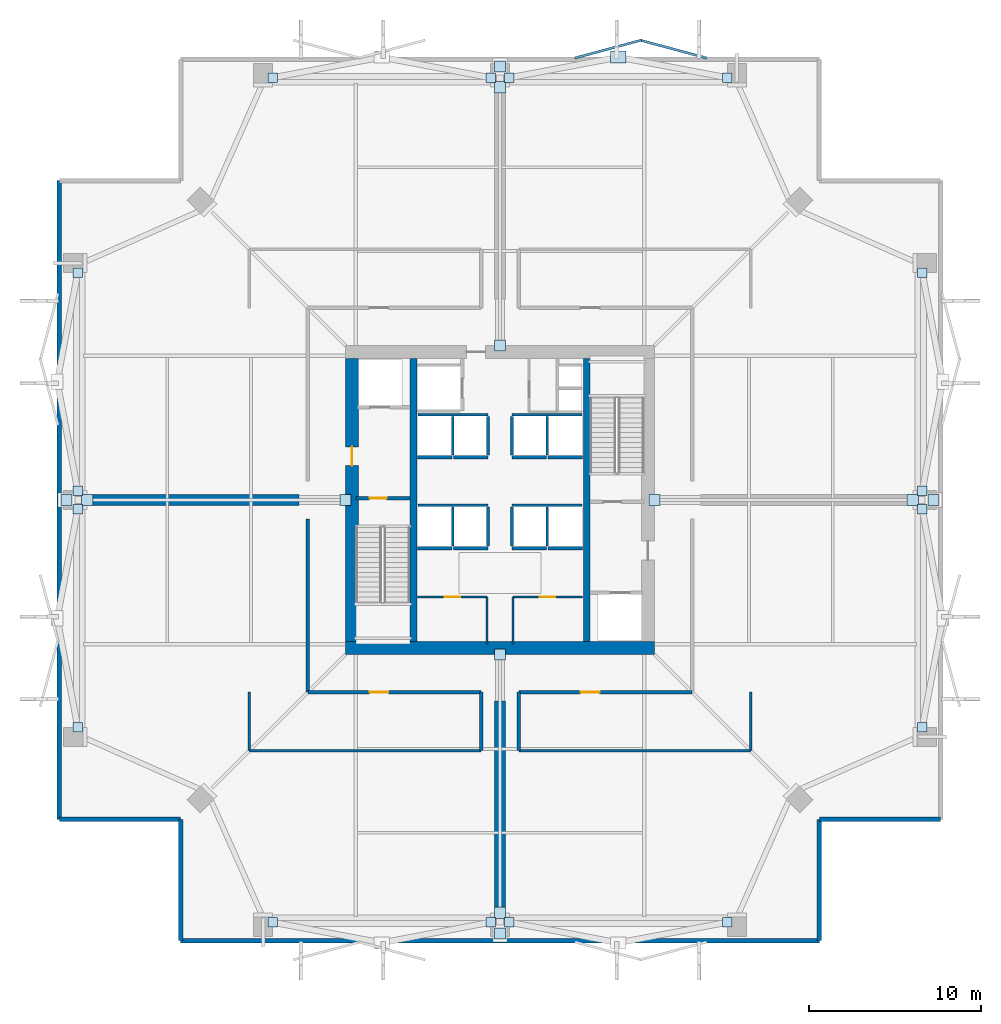
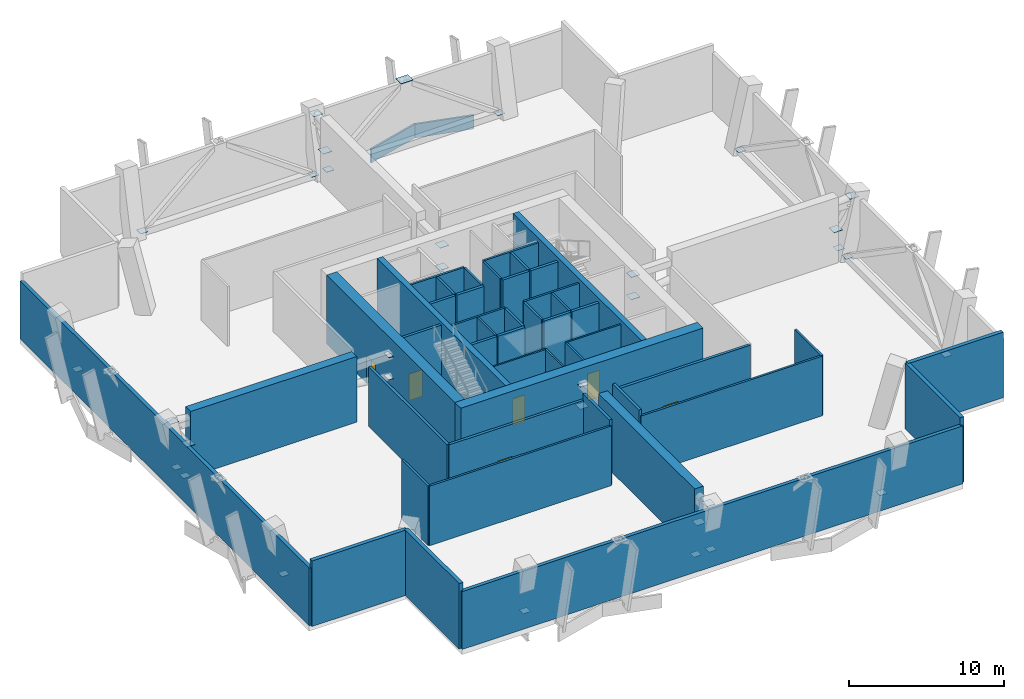
# One storey, part 3 of 6: 46 walls, 35 plates, 6 doors, 6 openings.
"""IFC4 building model written with IfcOpenShell, lengths in metres."""

from ifc_helpers import new_model, si_unit, direction, frame, frame_2d, origin, origin_2d, place, context, subcontext, project, spatial, rectangle, extrude, material, layer, layer_set, type_object, element, fill, save


model = new_model("IFC4")

# Units and contexts
model_context = context("Model", 3, precision=1e-05, world=origin(), true_north=direction((0.0, 1.0)))
body_context = subcontext(model_context, "Body", "Model", "MODEL_VIEW")
ifc_project = project(units=[si_unit("LENGTHUNIT", "METRE"), si_unit("AREAUNIT", "SQUARE_METRE"), si_unit("VOLUMEUNIT", "CUBIC_METRE"), si_unit("PLANEANGLEUNIT", "RADIAN"), si_unit("MASSUNIT", "GRAM", prefix="KILO")], contexts=[model_context])

# Site, building, storey
site_placement = place(None, origin())
site = spatial("IfcSite", under=ifc_project, at=site_placement, CompositionType="ELEMENT")
building_placement = place(site_placement, origin())
building = spatial("IfcBuilding", under=site, at=building_placement, Name="Belovzor Exchange Tower", CompositionType="ELEMENT")
storey_placement = place(building_placement, frame((0.0, 0.0, 194.550048828125)))
storey = spatial("IfcBuildingStorey", under=building, at=storey_placement, Name="L48", CompositionType="ELEMENT", Elevation=194.550048828125)

# Plates
ifc_material_1 = material(Name="Steel S460", Category="steel")
ifc_layer_1 = layer(ifc_material_1, 0.031982421875)
ifc_layer_set_1 = layer_set([ifc_layer_1], Name="Steel S460")
plate_type_1 = type_object("IfcPlateType", Name="Belt Truss Chord Node Gusset Plate 900x700x32", PredefinedType="SHEET", material=ifc_layer_set_1)
plate_placement = place(storey_placement, frame((35.699951171875, 54.60009765625, 4.5341796875), z_axis=(0.0, 0.0, 1.0), x_axis=(1.0, 0.0, 0.0)))
element("IfcPlate", 1, at=plate_placement, inside=storey, type_object=plate_type_1, Name="KN-3 Belt Truss Chord Node Gusset Plate 900x700x32", PredefinedType="SHEET", context=body_context, shape_type="SweptSolid", body=[
    extrude(rectangle(XDim=0.89990234375, YDim=0.699951171875, at=origin_2d()), origin(), (0.0, 0.0, 1.0), 0.031982421875),
])
ifc_material_2 = material(Name="Steel S355", Category="steel")
ifc_layer_2 = layer(ifc_material_2, 0.02490234375)
ifc_layer_set_2 = layer_set([ifc_layer_2], Name="Steel S355")
plate_type_2 = type_object("IfcPlateType", Name="Belt Truss Hollow End Cap Plate 550x550x25", PredefinedType="USERDEFINED", material=ifc_layer_set_2)
for number, where, z_axis, x_axis, name in (
    (2, (15.550048828125, 4.199951171875, 0.4375), (0.0, 0.0, 1.0), (1.0, 0.0, 0.0), "CP-3 Belt Truss Hollow End Cap Plate 550x550x25"),
    (3, (28.25, 4.199951171875, 0.4375), (0.0, 0.0, 1.0), (1.0, 0.0, 0.0), "CP-3 Belt Truss Hollow End Cap Plate 550x550x25"),
    (4, (29.35009765625, 4.199951171875, 0.4375), (0.0, 0.0, 1.0), (1.0, 0.0, 0.0), "CP-3 Belt Truss Hollow End Cap Plate 550x550x25"),
    (5, (42.050048828125, 4.199951171875, 0.4375), (0.0, 0.0, 1.0), (1.0, 0.0, 0.0), "CP-3 Belt Truss Hollow End Cap Plate 550x550x25"),
    (6, (53.39990234375, 15.550048828125, 0.4375), (0.0, 0.0, 1.0), (0.0, 1.0, 0.0), "CP-3 Belt Truss Hollow End Cap Plate 550x550x25"),
    (7, (53.39990234375, 28.25, 0.4375), (0.0, 0.0, 1.0), (0.0, 1.0, 0.0), "CP-3 Belt Truss Hollow End Cap Plate 550x550x25"),
    (8, (53.39990234375, 29.35009765625, 0.4375), (0.0, 0.0, 1.0), (0.0, 1.0, 0.0), "CP-3 Belt Truss Hollow End Cap Plate 550x550x25"),
    (9, (53.39990234375, 42.050048828125, 0.4375), (0.0, 0.0, 1.0), (0.0, 1.0, 0.0), "CP-3 Belt Truss Hollow End Cap Plate 550x550x25"),
    (10, (42.050048828125, 53.39990234375, 0.4375), (0.0, 0.0, 1.0), (1.0, 0.0, 0.0), "CP-3 Belt Truss Hollow End Cap Plate 550x550x25"),
    (11, (29.35009765625, 53.39990234375, 0.4375), (0.0, 0.0, 1.0), (1.0, 0.0, 0.0), "CP-3 Belt Truss Hollow End Cap Plate 550x550x25"),
    (12, (28.25, 53.39990234375, 0.4375), (0.0, 0.0, 1.0), (1.0, 0.0, 0.0), "CP-3 Belt Truss Hollow End Cap Plate 550x550x25"),
    (13, (15.550048828125, 53.39990234375, 0.4375), (0.0, 0.0, 1.0), (1.0, 0.0, 0.0), "CP-3 Belt Truss Hollow End Cap Plate 550x550x25"),
    (14, (4.199951171875, 42.050048828125, 0.4375), (0.0, 0.0, 1.0), (0.0, 1.0, 0.0), "CP-3 Belt Truss Hollow End Cap Plate 550x550x25"),
    (15, (4.199951171875, 29.35009765625, 0.4375), (0.0, 0.0, 1.0), (0.0, 1.0, 0.0), "CP-3 Belt Truss Hollow End Cap Plate 550x550x25"),
    (16, (4.199951171875, 28.25, 0.4375), (0.0, 0.0, 1.0), (0.0, 1.0, 0.0), "CP-3 Belt Truss Hollow End Cap Plate 550x550x25"),
    (17, (4.199951171875, 15.550048828125, 0.4375), (0.0, 0.0, 1.0), (0.0, 1.0, 0.0), "CP-3 Belt Truss Hollow End Cap Plate 550x550x25"),
):
    element("IfcPlate", number, at=place(storey_placement, frame(where, z_axis=z_axis, x_axis=x_axis)), inside=storey, type_object=plate_type_2, Name=name, ObjectType="CAP_PLATE", PredefinedType="USERDEFINED", context=body_context, shape_type="SweptSolid", body=[
        extrude(rectangle(XDim=0.550048828125, YDim=0.550048828125, at=origin_2d()), origin(), (0.0, 0.0, 1.0), 0.02490234375),
    ])
ifc_material_3 = material(Name="Steel S460", Category="steel")
ifc_layer_3 = layer(ifc_material_3, 0.028076171875)
ifc_layer_set_3 = layer_set([ifc_layer_3], Name="Steel S460")
plate_type_3 = type_object("IfcPlateType", Name="Hollow Truss End Cap Plate 650x650x28", PredefinedType="USERDEFINED", material=ifc_layer_set_3)
for number, where, z_axis, x_axis, name in (
    (18, (28.800048828125, 19.800048828125, 2.43603515625), (0.0, 0.0, 1.0), (1.0, 0.0, 0.0), "CP-2 Hollow Truss End Cap Plate 650x650x28"),
    (19, (28.800048828125, 3.550048828125, 4.6357421875), (0.0, 0.0, 1.0), (1.0, 0.0, 0.0), "CP-2 Hollow Truss End Cap Plate 650x650x28"),
    (20, (28.800048828125, 37.800048828125, 2.43603515625), (0.0, 0.0, 1.0), (1.0, 0.0, 0.0), "CP-2 Hollow Truss End Cap Plate 650x650x28"),
    (21, (28.800048828125, 54.050048828125, 4.6357421875), (0.0, 0.0, 1.0), (1.0, 0.0, 0.0), "CP-2 Hollow Truss End Cap Plate 650x650x28"),
    (22, (19.800048828125, 28.800048828125, 2.43603515625), (0.0, 0.0, 1.0), (1.0, 0.0, 0.0), "CP-2 Hollow Truss End Cap Plate 650x650x28"),
    (23, (3.550048828125, 28.800048828125, 4.6357421875), (0.0, 0.0, 1.0), (1.0, 0.0, 0.0), "CP-2 Hollow Truss End Cap Plate 650x650x28"),
    (24, (37.800048828125, 28.800048828125, 2.43603515625), (0.0, 0.0, 1.0), (1.0, 0.0, 0.0), "CP-2 Hollow Truss End Cap Plate 650x650x28"),
    (25, (54.050048828125, 28.800048828125, 4.6357421875), (0.0, 0.0, 1.0), (1.0, 0.0, 0.0), "CP-2 Hollow Truss End Cap Plate 650x650x28"),
    (26, (28.800048828125, 19.800048828125, 4.18603515625), (0.0, 0.0, 1.0), (0.0, 1.0, 0.0), "CP-2 Hollow Truss End Cap Plate 650x650x28"),
    (27, (28.800048828125, 4.75, 2.43603515625), (0.0, 0.0, 1.0), (0.0, 1.0, 0.0), "CP-2 Hollow Truss End Cap Plate 650x650x28"),
    (28, (28.800048828125, 37.800048828125, 4.18603515625), (0.0, 0.0, 1.0), (0.0, 1.0, 0.0), "CP-2 Hollow Truss End Cap Plate 650x650x28"),
    (29, (28.800048828125, 52.85009765625, 2.43603515625), (0.0, 0.0, 1.0), (0.0, 1.0, 0.0), "CP-2 Hollow Truss End Cap Plate 650x650x28"),
    (30, (19.800048828125, 28.800048828125, 4.18603515625), (0.0, 0.0, 1.0), (1.0, 0.0, 0.0), "CP-2 Hollow Truss End Cap Plate 650x650x28"),
    (31, (4.75, 28.800048828125, 2.43603515625), (0.0, 0.0, 1.0), (1.0, 0.0, 0.0), "CP-2 Hollow Truss End Cap Plate 650x650x28"),
    (32, (37.800048828125, 28.800048828125, 4.18603515625), (0.0, 0.0, 1.0), (1.0, 0.0, 0.0), "CP-2 Hollow Truss End Cap Plate 650x650x28"),
    (33, (52.85009765625, 28.800048828125, 2.43603515625), (0.0, 0.0, 1.0), (1.0, 0.0, 0.0), "CP-2 Hollow Truss End Cap Plate 650x650x28"),
):
    element("IfcPlate", number, at=place(storey_placement, frame(where, z_axis=z_axis, x_axis=x_axis)), inside=storey, type_object=plate_type_3, Name=name, ObjectType="CAP_PLATE", PredefinedType="USERDEFINED", context=body_context, shape_type="SweptSolid", body=[
        extrude(rectangle(XDim=0.64990234375, YDim=0.64990234375, at=origin_2d()), origin(), (0.0, 0.0, 1.0), 0.028076171875),
    ])
ifc_material_4 = material(Name="Extruded Architectural Terracotta", Category="masonry")
ifc_layer_4 = layer(ifc_material_4, 0.139892578125)
ifc_layer_set_4 = layer_set([ifc_layer_4], Name="Extruded Architectural Terracotta")
plate_type_4 = type_object("IfcPlateType", Name="Mid-Tower Folded Zigzag Terracotta Spandrel Louvre 120", PredefinedType="USERDEFINED", material=ifc_layer_set_4)
for number, where, z_axis, x_axis, name in (
    (34, (35.10009765625, 55.070068359375, -1.065185546875), (0.0, 0.0, 1.0), (0.965812803231, 0.259240485101, 0.0), "LVR-ZZ2 Zigzag Terracotta Spandrel Louvre L48 N2A"),
    (35, (38.89990234375, 55.070068359375, -1.065185546875), (0.0, 0.0, 1.0), (0.965812803231, -0.259240485101, 0.0), "LVR-ZZ2 Zigzag Terracotta Spandrel Louvre L48 N2B"),
):
    element("IfcPlate", number, at=place(storey_placement, frame(where, z_axis=z_axis, x_axis=x_axis)), inside=storey, type_object=plate_type_4, Name=name, ObjectType="SPANDREL_LOUVRE", PredefinedType="USERDEFINED", context=body_context, shape_type="SweptSolid", body=[
        extrude(rectangle(XDim=4.014892578125, YDim=0.139892578125, at=origin_2d()), origin(), (0.0, 0.0, 1.0), 1.080078125),
    ])

# Wall, opening, door
ifc_material_5 = material(Name="Fire-Rated Plasterboard on Galvanised Studs", Category="gypsum")
ifc_layer_5 = layer(ifc_material_5, 0.1201171875)
ifc_layer_set_5 = layer_set([ifc_layer_5], Name="Fire-Rated Plasterboard on Galvanised Studs")
wall_type_1 = type_object("IfcWallType", Name="Fire-Rated Double-Stud Partition Wall 120", PredefinedType="PARTITIONING", material=ifc_layer_set_5)
wall_1_placement = place(storey_placement, frame((24.0, 23.14990234375, 0.0), z_axis=(0.0, 0.0, 1.0), x_axis=(1.0, 0.0, 0.0)))
wall_1 = element("IfcWall", 36, at=wall_1_placement, inside=storey, type_object=wall_type_1, Name="W-P120F Partition Wall W-CRL-L48-WN", PredefinedType="PARTITIONING", context=body_context, shape_type="SweptSolid", body=[
    extrude(rectangle(XDim=4.050048828125, YDim=0.1201171875, at=frame_2d((2.02490234375, 0.0))), origin(), (0.0, 0.0, 1.0), 5.14990234375),
])
opening_1_placement = place(wall_1_placement, frame((1.574951171875, 0.0, 0.0)))
opening_1 = element("IfcOpeningElement", 37, at=opening_1_placement, cuts=wall_1, Name="Opening D-FD60-090", PredefinedType="OPENING", context=body_context, shape_type="SweptSolid", body=[
    extrude(rectangle(XDim=0.89990234375, YDim=2.10009765625, at=frame_2d((0.449951171875, 1.050048828125))), frame((0.0, 0.070068359375, 0.0), z_axis=(0.0, -1.0, 0.0), x_axis=(1.0, 0.0, 0.0)), (0.0, 0.0, 1.0), 0.14013671875),
])
ifc_material_6 = material(Name="Acoustic Timber Fire Leaf", Category="wood")
door_type_1 = type_object("IfcDoorType", Name="Core Service & Restroom Fire Door 900x2100", OperationType="NOTDEFINED", PredefinedType="DOOR", material=ifc_material_6)
door_1_placement = place(opening_1_placement, origin())
door_1 = element("IfcDoor", 38, at=door_1_placement, inside=storey, type_object=door_type_1, Name="D-FD60-090 Core Service & Restroom Fire Door 900x2100", OperationType="SINGLE_SWING_LEFT", OverallHeight=2.10009765625, OverallWidth=0.89990234375, PredefinedType="DOOR", context=body_context, shape_type="SweptSolid", body=[
    extrude(rectangle(XDim=0.89990234375, YDim=2.10009765625, at=frame_2d((0.449951171875, 1.050048828125))), frame((0.0, 0.02490234375, 0.0), z_axis=(0.0, -1.0, 0.0), x_axis=(1.0, 0.0, 0.0)), (0.0, 0.0, 1.0), 0.050048828125),
])
fill(opening_1, door_1)

# Wall
wall_2_placement = place(storey_placement, frame((28.050048828125, 20.39990234375, 0.0), z_axis=(0.0, 0.0, 1.0), x_axis=(0.0, 1.0, 0.0)))
element("IfcWall", 39, at=wall_2_placement, inside=storey, type_object=wall_type_1, Name="W-P120F Partition Wall W-CRL-L48-WE", PredefinedType="PARTITIONING", context=body_context, shape_type="SweptSolid", body=[
    extrude(rectangle(XDim=2.75, YDim=0.1201171875, at=frame_2d((1.375, 0.0))), origin(), (0.0, 0.0, 1.0), 5.14990234375),
])

# Wall, opening, door
wall_3_placement = place(storey_placement, frame((29.550048828125, 23.14990234375, 0.0), z_axis=(0.0, 0.0, 1.0), x_axis=(1.0, 0.0, 0.0)))
wall_3 = element("IfcWall", 40, at=wall_3_placement, inside=storey, type_object=wall_type_1, Name="W-P120F Partition Wall W-CRL-L48-EN", PredefinedType="PARTITIONING", context=body_context, shape_type="SweptSolid", body=[
    extrude(rectangle(XDim=4.050048828125, YDim=0.1201171875, at=frame_2d((2.02490234375, 0.0))), origin(), (0.0, 0.0, 1.0), 5.14990234375),
])
opening_2_placement = place(wall_3_placement, frame((1.574951171875, 0.0, 0.0)))
opening_2 = element("IfcOpeningElement", 41, at=opening_2_placement, cuts=wall_3, Name="Opening D-FD60-090", PredefinedType="OPENING", context=body_context, shape_type="SweptSolid", body=[
    extrude(rectangle(XDim=0.89990234375, YDim=2.10009765625, at=frame_2d((0.449951171875, 1.050048828125))), frame((0.0, 0.070068359375, 0.0), z_axis=(0.0, -1.0, 0.0), x_axis=(1.0, 0.0, 0.0)), (0.0, 0.0, 1.0), 0.14013671875),
])
door_2_placement = place(opening_2_placement, origin())
door_2 = element("IfcDoor", 42, at=door_2_placement, inside=storey, type_object=door_type_1, Name="D-FD60-090 Core Service & Restroom Fire Door 900x2100", OperationType="SINGLE_SWING_RIGHT", OverallHeight=2.10009765625, OverallWidth=0.89990234375, PredefinedType="DOOR", context=body_context, shape_type="SweptSolid", body=[
    extrude(rectangle(XDim=0.89990234375, YDim=2.10009765625, at=frame_2d((0.449951171875, 1.050048828125))), frame((0.0, 0.02490234375, 0.0), z_axis=(0.0, -1.0, 0.0), x_axis=(1.0, 0.0, 0.0)), (0.0, 0.0, 1.0), 0.050048828125),
])
fill(opening_2, door_2)

# Walls
wall_4_placement = place(storey_placement, frame((29.550048828125, 20.39990234375, 0.0), z_axis=(0.0, 0.0, 1.0), x_axis=(0.0, 1.0, 0.0)))
element("IfcWall", 43, at=wall_4_placement, inside=storey, type_object=wall_type_1, Name="W-P120F Partition Wall W-CRL-L48-EW", PredefinedType="PARTITIONING", context=body_context, shape_type="SweptSolid", body=[
    extrude(rectangle(XDim=2.75, YDim=0.1201171875, at=frame_2d((1.375, 0.0))), origin(), (0.0, 0.0, 1.0), 5.14990234375),
])
ifc_material_7 = material(Name="Fire-Rated Gypsum Block and Mineral Wool", Category="gypsum")
ifc_layer_6 = layer(ifc_material_7, 0.14990234375)
ifc_layer_set_6 = layer_set([ifc_layer_6], Name="Fire-Rated Gypsum Block and Mineral Wool")
wall_type_2 = type_object("IfcWallType", Name="Fire-Rated Gypsum Block Corridor Wall 150", PredefinedType="PARTITIONING", material=ifc_layer_set_6)
wall_5_placement = place(storey_placement, frame((14.199951171875, 14.199951171875, 0.0), z_axis=(0.0, 0.0, 1.0), x_axis=(0.0, 1.0, 0.0)))
element("IfcWall", 44, at=wall_5_placement, inside=storey, type_object=wall_type_2, Name="W-P150 Partition Wall W-L48-Q1W", PredefinedType="PARTITIONING", context=body_context, shape_type="SweptSolid", body=[
    extrude(rectangle(XDim=3.400146484375, YDim=0.14990234375, at=frame_2d((1.7001953125, 0.0))), origin(), (0.0, 0.0, 1.0), 4.68505859375),
])
for number, where, z_axis, x_axis, name in (
    (45, (14.199951171875, 14.199951171875, 0.0), (0.0, 0.0, 1.0), (1.0, 0.0, 0.0), "W-P150 Partition Wall W-L48-Q1S"),
    (46, (29.89990234375, 14.199951171875, 0.0), (0.0, 0.0, 1.0), (1.0, 0.0, 0.0), "W-P150 Partition Wall W-L48-Q2S"),
):
    element("IfcWall", number, at=place(storey_placement, frame(where, z_axis=z_axis, x_axis=x_axis)), inside=storey, type_object=wall_type_2, Name=name, PredefinedType="PARTITIONING", context=body_context, shape_type="SweptSolid", body=[
        extrude(rectangle(XDim=13.5, YDim=0.14990234375, at=frame_2d((6.75, 0.0))), origin(), (0.0, 0.0, 1.0), 4.68505859375),
    ])
wall_6_placement = place(storey_placement, frame((43.39990234375, 14.199951171875, 0.0), z_axis=(0.0, 0.0, 1.0), x_axis=(0.0, 1.0, 0.0)))
element("IfcWall", 47, at=wall_6_placement, inside=storey, type_object=wall_type_2, Name="W-P150 Partition Wall W-L48-Q2E", PredefinedType="PARTITIONING", context=body_context, shape_type="SweptSolid", body=[
    extrude(rectangle(XDim=3.400146484375, YDim=0.14990234375, at=frame_2d((1.7001953125, 0.0))), origin(), (0.0, 0.0, 1.0), 4.68505859375),
])
ifc_material_8 = material(Name="Precast concrete C40/50", Category="concrete")
ifc_layer_7 = layer(ifc_material_8, 0.280029296875)
ifc_layer_set_7 = layer_set([ifc_layer_7], Name="Precast concrete C40/50")
wall_type_3 = type_object("IfcWallType", Name="Precast Concrete Notched Corner Frame Wall 280", PredefinedType="SOLIDWALL", material=ifc_layer_set_7)
for number, where, z_axis, x_axis, name in (
    (48, (10.199951171875, 3.1298828125, 0.0), (0.0, 0.0, 1.0), (0.0, 1.0, 0.0), "W-CRN280 Precast Concrete Notched Corner Frame Wall 280 L48"),
    (49, (10.199951171875, 10.199951171875, 0.0), (0.0, 0.0, 1.0), (-1.0, 0.0, 0.0), "W-CRN280 Precast Concrete Notched Corner Frame Wall 280 L48"),
    (50, (54.469970703125, 10.199951171875, 0.0), (0.0, 0.0, 1.0), (-1.0, 0.0, 0.0), "W-CRN280 Precast Concrete Notched Corner Frame Wall 280 L48"),
    (51, (47.39990234375, 10.199951171875, 0.0), (0.0, 0.0, 1.0), (0.0, -1.0, 0.0), "W-CRN280 Precast Concrete Notched Corner Frame Wall 280 L48"),
):
    element("IfcWall", number, at=place(storey_placement, frame(where, z_axis=z_axis, x_axis=x_axis)), inside=storey, type_object=wall_type_3, Name=name, PredefinedType="SOLIDWALL", context=body_context, shape_type="SweptSolid", body=[
        extrude(rectangle(XDim=7.070068359375, YDim=0.280029296875, at=frame_2d((3.53515625, 0.0))), origin(), (0.0, 0.0, 1.0), 5.14990234375),
    ])
ifc_material_9 = material(Name="Precast concrete C40/50", Category="concrete")
ifc_layer_8 = layer(ifc_material_9, 0.260009765625)
ifc_layer_set_8 = layer_set([ifc_layer_8], Name="Precast concrete C40/50")
wall_type_4 = type_object("IfcWallType", Name="Precast Concrete Perimeter Loggia Frame Wall 260", PredefinedType="SOLIDWALL", material=ifc_layer_set_8)
for number, where, z_axis, x_axis, name in (
    (52, (47.39990234375, 3.1298828125, 0.0), (0.0, 0.0, 1.0), (-1.0, 0.0, 0.0), "W-EXT260 Precast Concrete Perimeter Loggia Frame Wall 260 L48"),
    (53, (3.1298828125, 10.199951171875, 0.0), (0.0, 0.0, 1.0), (0.0, 1.0, 0.0), "W-EXT260 Precast Concrete Perimeter Loggia Frame Wall 260 L48"),
):
    element("IfcWall", number, at=place(storey_placement, frame(where, z_axis=z_axis, x_axis=x_axis)), inside=storey, type_object=wall_type_4, Name=name, PredefinedType="SOLIDWALL", context=body_context, shape_type="SweptSolid", body=[
        extrude(rectangle(XDim=37.199951171875, YDim=0.260009765625, at=frame_2d((18.60009765625, 0.0))), origin(), (0.0, 0.0, 1.0), 4.550048828125),
    ])

# Wall, opening, door
ifc_material_10 = material(Name="Concrete C40/50", Category="concrete")
ifc_layer_9 = layer(ifc_material_10, 0.199951171875)
ifc_layer_set_9 = layer_set([ifc_layer_9], Name="Concrete C40/50")
wall_type_5 = type_object("IfcWallType", Name="Reinforced Concrete Compartment Wall 200", PredefinedType="PARTITIONING", material=ifc_layer_set_9)
wall_7_placement = place(storey_placement, frame((17.60009765625, 17.60009765625, 0.0), z_axis=(0.0, 0.0, 1.0), x_axis=(1.0, 0.0, 0.0)))
wall_7 = element("IfcWall", 54, at=wall_7_placement, inside=storey, type_object=wall_type_5, Name="W-C200 Partition Wall W-L48-PCS", PredefinedType="PARTITIONING", context=body_context, shape_type="SweptSolid", body=[
    extrude(rectangle(XDim=10.099853515625, YDim=0.199951171875, at=frame_2d((5.0498046875, 0.0))), origin(), (0.0, 0.0, 1.0), 4.68505859375),
])
opening_3_placement = place(wall_7_placement, frame((3.60009765625, 0.0, 0.0)))
opening_3 = element("IfcOpeningElement", 55, at=opening_3_placement, cuts=wall_7, Name="Opening D-FD90-110", PredefinedType="OPENING", context=body_context, shape_type="SweptSolid", body=[
    extrude(rectangle(XDim=1.10009765625, YDim=2.14990234375, at=frame_2d((0.550048828125, 1.074951171875))), frame((0.0, 0.10986328125, 0.0), z_axis=(0.0, -1.0, 0.0), x_axis=(1.0, 0.0, 0.0)), (0.0, 0.0, 1.0), 0.219970703125),
])
ifc_material_11 = material(Name="Fire-Rated Galvanised Steel Leaf", Category="steel")
door_type_2 = type_object("IfcDoorType", Name="Protected Escape Vestibule Fire Door 1100x2150", OperationType="NOTDEFINED", PredefinedType="DOOR", material=ifc_material_11)
door_3_placement = place(opening_3_placement, origin())
door_3 = element("IfcDoor", 56, at=door_3_placement, inside=storey, type_object=door_type_2, Name="D-FD90-110 Protected Escape Vestibule Fire Door 1100x2150", OperationType="SINGLE_SWING_LEFT", OverallHeight=2.14990234375, OverallWidth=1.10009765625, PredefinedType="DOOR", context=body_context, shape_type="SweptSolid", body=[
    extrude(rectangle(XDim=1.10009765625, YDim=2.14990234375, at=frame_2d((0.550048828125, 1.074951171875))), frame((0.0, 0.02490234375, 0.0), z_axis=(0.0, -1.0, 0.0), x_axis=(1.0, 0.0, 0.0)), (0.0, 0.0, 1.0), 0.050048828125),
])
fill(opening_3, door_3)

wall_8_placement = place(storey_placement, frame((29.89990234375, 17.60009765625, 0.0), z_axis=(0.0, 0.0, 1.0), x_axis=(1.0, 0.0, 0.0)))
wall_8 = element("IfcWall", 57, at=wall_8_placement, inside=storey, type_object=wall_type_5, Name="W-C200 Partition Wall W-L48-PCS2", PredefinedType="PARTITIONING", context=body_context, shape_type="SweptSolid", body=[
    extrude(rectangle(XDim=10.10009765625, YDim=0.199951171875, at=frame_2d((5.050048828125, 0.0))), origin(), (0.0, 0.0, 1.0), 4.68505859375),
])
opening_4_placement = place(wall_8_placement, frame((3.60009765625, 0.0, 0.0)))
opening_4 = element("IfcOpeningElement", 58, at=opening_4_placement, cuts=wall_8, Name="Opening D-FD90-110", PredefinedType="OPENING", context=body_context, shape_type="SweptSolid", body=[
    extrude(rectangle(XDim=1.10009765625, YDim=2.14990234375, at=frame_2d((0.550048828125, 1.074951171875))), frame((0.0, 0.10986328125, 0.0), z_axis=(0.0, -1.0, 0.0), x_axis=(1.0, 0.0, 0.0)), (0.0, 0.0, 1.0), 0.219970703125),
])
door_4_placement = place(opening_4_placement, origin())
door_4 = element("IfcDoor", 59, at=door_4_placement, inside=storey, type_object=door_type_2, Name="D-FD90-110 Protected Escape Vestibule Fire Door 1100x2150", OperationType="SINGLE_SWING_RIGHT", OverallHeight=2.14990234375, OverallWidth=1.10009765625, PredefinedType="DOOR", context=body_context, shape_type="SweptSolid", body=[
    extrude(rectangle(XDim=1.10009765625, YDim=2.14990234375, at=frame_2d((0.550048828125, 1.074951171875))), frame((0.0, 0.02490234375, 0.0), z_axis=(0.0, -1.0, 0.0), x_axis=(1.0, 0.0, 0.0)), (0.0, 0.0, 1.0), 0.050048828125),
])
fill(opening_4, door_4)

# Walls
wall_9_placement = place(storey_placement, frame((17.60009765625, 17.60009765625, 0.0), z_axis=(0.0, 0.0, 1.0), x_axis=(0.0, 1.0, 0.0)))
element("IfcWall", 60, at=wall_9_placement, inside=storey, type_object=wall_type_5, Name="W-C200 Partition Wall W-L48-PCW1", PredefinedType="PARTITIONING", context=body_context, shape_type="SweptSolid", body=[
    extrude(rectangle(XDim=10.099853515625, YDim=0.199951171875, at=frame_2d((5.0498046875, 0.0))), origin(), (0.0, 0.0, 1.0), 4.68505859375),
])
for number, where, z_axis, x_axis, name in (
    (61, (27.699951171875, 14.199951171875, 0.0), (0.0, 0.0, 1.0), (0.0, 1.0, 0.0), "W-C200 Partition Wall W-L48-Q1E"),
    (62, (29.89990234375, 14.199951171875, 0.0), (0.0, 0.0, 1.0), (0.0, 1.0, 0.0), "W-C200 Partition Wall W-L48-Q2W"),
):
    element("IfcWall", number, at=place(storey_placement, frame(where, z_axis=z_axis, x_axis=x_axis)), inside=storey, type_object=wall_type_5, Name=name, PredefinedType="PARTITIONING", context=body_context, shape_type="SweptSolid", body=[
        extrude(rectangle(XDim=3.400146484375, YDim=0.199951171875, at=frame_2d((1.7001953125, 0.0))), origin(), (0.0, 0.0, 1.0), 5.14990234375),
    ])
ifc_material_12 = material(Name="Concrete C50/60", Category="concrete")
ifc_layer_10 = layer(ifc_material_12, 0.39990234375)
ifc_layer_set_10 = layer_set([ifc_layer_10], Name="Concrete C50/60")
wall_type_6 = type_object("IfcWallType", Name="Reinforced Concrete Core Internal Web Wall 400", PredefinedType="SHEAR", material=ifc_layer_set_10)
for number, where, z_axis, x_axis, name in (
    (63, (23.75, 20.550048828125, 0.0), (0.0, 0.0, 1.0), (0.0, 1.0, 0.0), "CW-W040 Core Internal Web Wall L48 WL"),
    (64, (33.85009765625, 20.550048828125, 0.0), (0.0, 0.0, 1.0), (0.0, 1.0, 0.0), "CW-W040 Core Internal Web Wall L48 ER"),
):
    element("IfcWall", number, at=place(storey_placement, frame(where, z_axis=z_axis, x_axis=x_axis)), inside=storey, type_object=wall_type_6, Name=name, PredefinedType="SHEAR", context=body_context, shape_type="SweptSolid", body=[
        extrude(rectangle(XDim=16.5, YDim=0.39990234375, at=frame_2d((8.25, 0.0))), origin(), (0.0, 0.0, 1.0), 5.39990234375),
    ])
ifc_material_13 = material(Name="Concrete C50/60", Category="concrete")
ifc_layer_11 = layer(ifc_material_13, 0.14990234375)
ifc_layer_set_11 = layer_set([ifc_layer_11], Name="Concrete C50/60")
wall_type_7 = type_object("IfcWallType", Name="Reinforced Concrete Core Riser Shear Wall 150", PredefinedType="SHEAR", material=ifc_layer_set_11)
for number, where, z_axis, x_axis, name in (
    (65, (24.02001953125, 28.5, 0.0), (0.0, 0.0, 1.0), (1.0, 0.0, 0.0), "W-C150S Core Shaft Wall W-SHB-L48-PLM-NW"),
    (66, (29.5, 28.5, 0.0), (0.0, 0.0, 1.0), (1.0, 0.0, 0.0), "W-C150S Core Shaft Wall W-SHB-L48-PLM-NE"),
):
    element("IfcWall", number, at=place(storey_placement, frame(where, z_axis=z_axis, x_axis=x_axis)), inside=storey, type_object=wall_type_7, Name=name, PredefinedType="SHEAR", context=body_context, shape_type="SweptSolid", body=[
        extrude(rectangle(XDim=4.080078125, YDim=0.14990234375, at=frame_2d((2.0400390625, 0.0))), origin(), (0.0, 0.0, 1.0), 5.14990234375),
    ])
for number, where, z_axis, x_axis, name in (
    (67, (26.050048828125, 26.1201171875, 0.0), (0.0, 0.0, 1.0), (0.0, 1.0, 0.0), "W-C150S Core Shaft Wall W-SHD-L48-PLM-1"),
    (68, (28.10009765625, 26.1201171875, 0.0), (0.0, 0.0, 1.0), (0.0, 1.0, 0.0), "W-C150S Core Shaft Wall W-SHD-L48-PLM-2"),
    (69, (29.5, 26.1201171875, 0.0), (0.0, 0.0, 1.0), (0.0, 1.0, 0.0), "W-C150S Core Shaft Wall W-SHD-L48-PLM-3"),
    (70, (31.550048828125, 26.1201171875, 0.0), (0.0, 0.0, 1.0), (0.0, 1.0, 0.0), "W-C150S Core Shaft Wall W-SHD-L48-PLM-4"),
):
    element("IfcWall", number, at=place(storey_placement, frame(where, z_axis=z_axis, x_axis=x_axis)), inside=storey, type_object=wall_type_7, Name=name, PredefinedType="SHEAR", context=body_context, shape_type="SweptSolid", body=[
        extrude(rectangle(XDim=2.27978515625, YDim=0.14990234375, at=frame_2d((1.139892578125, 0.0))), origin(), (0.0, 0.0, 1.0), 5.14990234375),
    ])
for number, where, z_axis, x_axis, name in (
    (71, (24.02001953125, 33.760009765625, 0.0), (0.0, 0.0, 1.0), (1.0, 0.0, 0.0), "W-C150S Core Shaft Wall W-SHB-L48-PLH-NW"),
    (72, (29.5, 33.760009765625, 0.0), (0.0, 0.0, 1.0), (1.0, 0.0, 0.0), "W-C150S Core Shaft Wall W-SHB-L48-PLH-NE"),
):
    element("IfcWall", number, at=place(storey_placement, frame(where, z_axis=z_axis, x_axis=x_axis)), inside=storey, type_object=wall_type_7, Name=name, PredefinedType="SHEAR", context=body_context, shape_type="SweptSolid", body=[
        extrude(rectangle(XDim=4.080078125, YDim=0.14990234375, at=frame_2d((2.0400390625, 0.0))), origin(), (0.0, 0.0, 1.0), 5.14990234375),
    ])
for number, where, z_axis, x_axis, name in (
    (73, (26.050048828125, 31.419921875, 0.0), (0.0, 0.0, 1.0), (0.0, 1.0, 0.0), "W-C150S Core Shaft Wall W-SHD-L48-PLH-1"),
    (74, (28.10009765625, 31.419921875, 0.0), (0.0, 0.0, 1.0), (0.0, 1.0, 0.0), "W-C150S Core Shaft Wall W-SHD-L48-PLH-2"),
    (75, (29.5, 31.419921875, 0.0), (0.0, 0.0, 1.0), (0.0, 1.0, 0.0), "W-C150S Core Shaft Wall W-SHD-L48-PLH-3"),
    (76, (31.550048828125, 31.419921875, 0.0), (0.0, 0.0, 1.0), (0.0, 1.0, 0.0), "W-C150S Core Shaft Wall W-SHD-L48-PLH-4"),
):
    element("IfcWall", number, at=place(storey_placement, frame(where, z_axis=z_axis, x_axis=x_axis)), inside=storey, type_object=wall_type_7, Name=name, PredefinedType="SHEAR", context=body_context, shape_type="SweptSolid", body=[
        extrude(rectangle(XDim=2.239990234375, YDim=0.14990234375, at=frame_2d((1.1201171875, 0.0))), origin(), (0.0, 0.0, 1.0), 5.14990234375),
    ])

# Wall, opening, door
ifc_material_14 = material(Name="Concrete C50/60", Category="concrete")
ifc_layer_12 = layer(ifc_material_14, 0.199951171875)
ifc_layer_set_12 = layer_set([ifc_layer_12], Name="Concrete C50/60")
wall_type_8 = type_object("IfcWallType", Name="Reinforced Concrete Core Shaft Shear Wall 200", PredefinedType="SHEAR", material=ifc_layer_set_12)
wall_10_placement = place(storey_placement, frame((20.39990234375, 28.89990234375, 0.0), z_axis=(0.0, 0.0, 1.0), x_axis=(1.0, 0.0, 0.0)))
wall_10 = element("IfcWall", 77, at=wall_10_placement, inside=storey, type_object=wall_type_8, Name="W-C200S Core Shaft Wall W-CORE-L48-FFLW1", PredefinedType="SHEAR", context=body_context, shape_type="SweptSolid", body=[
    extrude(rectangle(XDim=3.150146484375, YDim=0.199951171875, at=frame_2d((1.5751953125, 0.0))), origin(), (0.0, 0.0, 1.0), 5.14990234375),
])
opening_5_placement = place(wall_10_placement, frame((0.800048828125, 0.0, 0.0)))
opening_5 = element("IfcOpeningElement", 78, at=opening_5_placement, cuts=wall_10, Name="Opening D-FD90-100", PredefinedType="OPENING", context=body_context, shape_type="SweptSolid", body=[
    extrude(rectangle(XDim=1.0, YDim=2.10009765625, at=frame_2d((0.5, 1.050048828125))), frame((0.0, 0.10986328125, 0.0), z_axis=(0.0, -1.0, 0.0), x_axis=(1.0, 0.0, 0.0)), (0.0, 0.0, 1.0), 0.219970703125),
])
ifc_material_15 = material(Name="Fire-Rated Galvanised Steel Leaf", Category="steel")
door_type_3 = type_object("IfcDoorType", Name="Protected Stairwell Single Fire Door 1000x2100", OperationType="NOTDEFINED", PredefinedType="DOOR", material=ifc_material_15)
door_5_placement = place(opening_5_placement, origin())
door_5 = element("IfcDoor", 79, at=door_5_placement, inside=storey, type_object=door_type_3, Name="D-FD90-100 Protected Stairwell Single Fire Door 1000x2100", OperationType="SINGLE_SWING_RIGHT", OverallHeight=2.10009765625, OverallWidth=1.0, PredefinedType="DOOR", context=body_context, shape_type="SweptSolid", body=[
    extrude(rectangle(XDim=1.0, YDim=2.10009765625, at=frame_2d((0.5, 1.050048828125))), frame((0.0, 0.02490234375, 0.0), z_axis=(0.0, -1.0, 0.0), x_axis=(1.0, 0.0, 0.0)), (0.0, 0.0, 1.0), 0.050048828125),
])
fill(opening_5, door_5)

# Walls
for number, where, z_axis, x_axis, name in (
    (80, (24.0, 26.0, 0.0), (0.0, 0.0, 1.0), (1.0, 0.0, 0.0), "W-C200S Core Shaft Wall W-SH-L48-PL-M1"),
    (81, (26.10009765625, 26.0, 0.0), (0.0, 0.0, 1.0), (1.0, 0.0, 0.0), "W-C200S Core Shaft Wall W-SH-L48-PL-M2"),
    (82, (29.5, 26.0, 0.0), (0.0, 0.0, 1.0), (1.0, 0.0, 0.0), "W-C200S Core Shaft Wall W-SH-L48-PL-M3"),
    (83, (31.60009765625, 26.0, 0.0), (0.0, 0.0, 1.0), (1.0, 0.0, 0.0), "W-C200S Core Shaft Wall W-SH-L48-PL-M4"),
    (84, (24.0, 31.300048828125, 0.0), (0.0, 0.0, 1.0), (1.0, 0.0, 0.0), "W-C200S Core Shaft Wall W-SH-L48-PL-H1"),
    (85, (26.10009765625, 31.300048828125, 0.0), (0.0, 0.0, 1.0), (1.0, 0.0, 0.0), "W-C200S Core Shaft Wall W-SH-L48-PL-H2"),
    (86, (29.5, 31.300048828125, 0.0), (0.0, 0.0, 1.0), (1.0, 0.0, 0.0), "W-C200S Core Shaft Wall W-SH-L48-PL-H3"),
    (87, (31.60009765625, 31.300048828125, 0.0), (0.0, 0.0, 1.0), (1.0, 0.0, 0.0), "W-C200S Core Shaft Wall W-SH-L48-PL-H4"),
):
    element("IfcWall", number, at=place(storey_placement, frame(where, z_axis=z_axis, x_axis=x_axis)), inside=storey, type_object=wall_type_8, Name=name, PredefinedType="SHEAR", context=body_context, shape_type="SweptSolid", body=[
        extrude(rectangle(XDim=2.0, YDim=0.199951171875, at=frame_2d((1.0, 0.0))), origin(), (0.0, 0.0, 1.0), 5.14990234375),
    ])
ifc_material_16 = material(Name="Concrete C50/60", Category="concrete")
ifc_layer_13 = layer(ifc_material_16, 0.75)
ifc_layer_set_13 = layer_set([ifc_layer_13], Name="Concrete C50/60")
wall_type_9 = type_object("IfcWallType", Name="Reinforced Concrete Core Shear Wall 750", PredefinedType="SHEAR", material=ifc_layer_set_13)
wall_11_placement = place(storey_placement, frame((19.800048828125, 20.175048828125, 0.0), z_axis=(0.0, 0.0, 1.0), x_axis=(1.0, 0.0, 0.0)))
element("IfcWall", 88, at=wall_11_placement, inside=storey, type_object=wall_type_9, Name="CW-S075 Core Shear Wall L48 S", PredefinedType="SHEAR", context=body_context, shape_type="SweptSolid", body=[
    extrude(rectangle(XDim=18.0, YDim=0.75, at=frame_2d((9.0, 0.0))), origin(), (0.0, 0.0, 1.0), 5.39990234375),
])

# Wall, opening, door
wall_12_placement = place(storey_placement, frame((20.175048828125, 20.550048828125, 0.0), z_axis=(0.0, 0.0, 1.0), x_axis=(0.0, 1.0, 0.0)))
wall_12 = element("IfcWall", 89, at=wall_12_placement, inside=storey, type_object=wall_type_9, Name="CW-S075 Core Shear Wall L48 W", PredefinedType="SHEAR", context=body_context, shape_type="SweptSolid", body=[
    extrude(rectangle(XDim=16.5, YDim=0.75, at=frame_2d((8.25, 0.0))), origin(), (0.0, 0.0, 1.0), 5.39990234375),
])
opening_6_placement = place(wall_12_placement, frame((10.25, 0.0, 0.0)))
opening_6 = element("IfcOpeningElement", 90, at=opening_6_placement, cuts=wall_12, Name="Opening D-FD90-110", PredefinedType="OPENING", context=body_context, shape_type="SweptSolid", body=[
    extrude(rectangle(XDim=1.10009765625, YDim=2.14990234375, at=frame_2d((0.550048828125, 1.074951171875))), frame((0.0, 0.385009765625, 0.0), z_axis=(0.0, -1.0, 0.0), x_axis=(1.0, 0.0, 0.0)), (0.0, 0.0, 1.0), 0.77001953125),
])
door_6_placement = place(opening_6_placement, origin())
door_6 = element("IfcDoor", 91, at=door_6_placement, inside=storey, type_object=door_type_2, Name="D-FD90-110 Protected Escape Vestibule Fire Door 1100x2150", OperationType="SINGLE_SWING_LEFT", OverallHeight=2.14990234375, OverallWidth=1.10009765625, PredefinedType="DOOR", context=body_context, shape_type="SweptSolid", body=[
    extrude(rectangle(XDim=1.10009765625, YDim=2.14990234375, at=frame_2d((0.550048828125, 1.074951171875))), frame((0.0, 0.02490234375, 0.0), z_axis=(0.0, -1.0, 0.0), x_axis=(1.0, 0.0, 0.0)), (0.0, 0.0, 1.0), 0.050048828125),
])
fill(opening_6, door_6)

# Walls
ifc_material_17 = material(Name="Concrete C50/60", Category="concrete")
ifc_layer_14 = layer(ifc_material_17, 0.64990234375)
ifc_layer_set_14 = layer_set([ifc_layer_14], Name="Concrete C50/60")
wall_type_10 = type_object("IfcWallType", Name="Reinforced Concrete Outrigger Shear Wall 650", PredefinedType="SHEAR", material=ifc_layer_set_14)
for number, where, z_axis, x_axis, name in (
    (92, (28.800048828125, 17.10009765625, 0.0), (0.0, 0.0, 1.0), (0.0, -1.0, 0.0), "OW-065 Outrigger Shear Wall L48 S"),
    (93, (17.10009765625, 28.800048828125, 0.0), (0.0, 0.0, 1.0), (-1.0, 0.0, 0.0), "OW-065 Outrigger Shear Wall L48 W"),
):
    element("IfcWall", number, at=place(storey_placement, frame(where, z_axis=z_axis, x_axis=x_axis)), inside=storey, type_object=wall_type_10, Name=name, PredefinedType="SHEAR", context=body_context, shape_type="SweptSolid", body=[
        extrude(rectangle(XDim=12.35009765625, YDim=0.64990234375, at=frame_2d((6.175048828125, 0.0))), origin(), (0.0, 0.0, 1.0), 5.14990234375),
    ])

save(model, "model.ifc")
